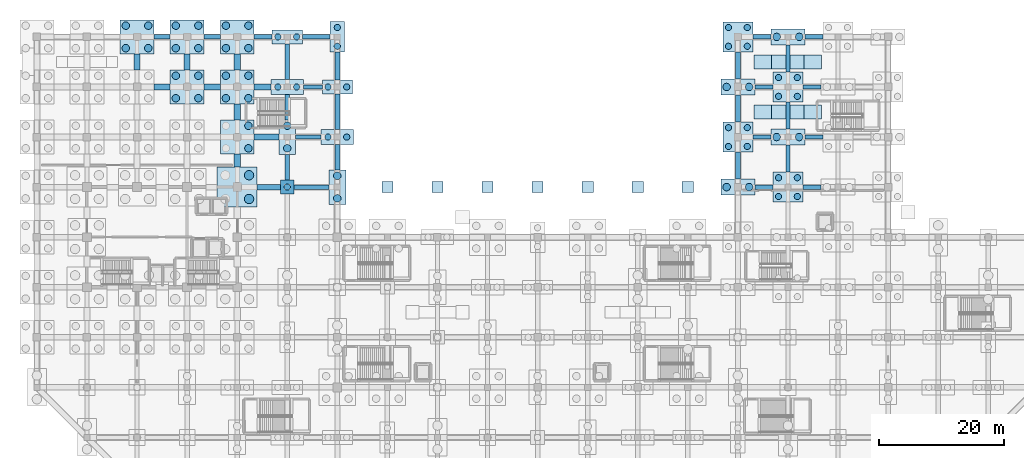
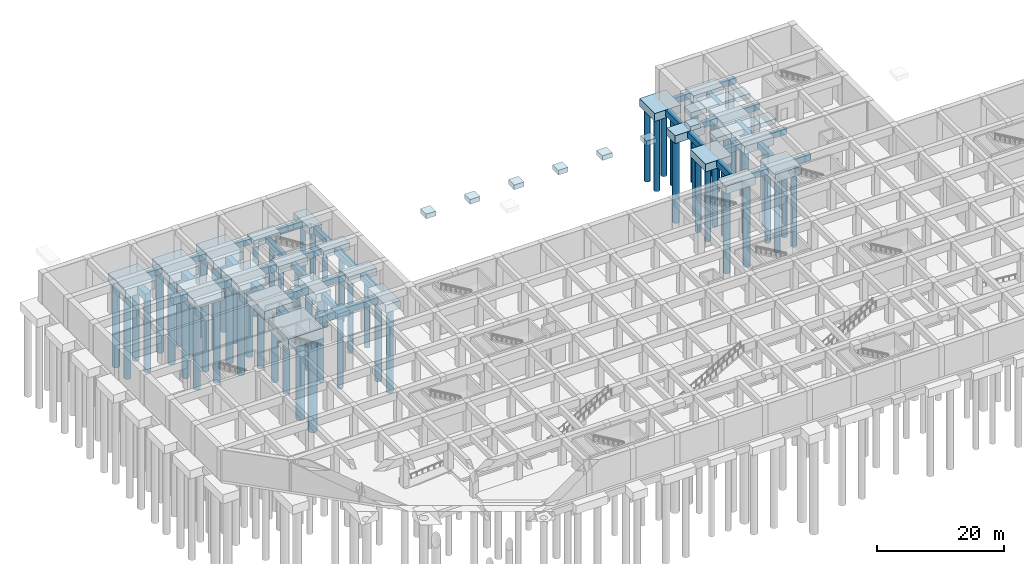
# One storey, part 7 of 26: 73 footings, 63 piles.
"""IFC4 building model written with IfcOpenShell, lengths in metres."""

from ifc_helpers import new_model, si_unit, direction, frame, origin, origin_2d, place, context, subcontext, project, spatial, rectangle, circle, extrude, material, material_profile, profile_set, type_object, element, save


model = new_model("IFC4")

# Units and contexts
model_context = context("Model", 3, precision=1e-05, world=origin(), true_north=direction((0.0, 1.0)))
body_context = subcontext(model_context, "Body", "Model", "MODEL_VIEW")
ifc_project = project(units=[si_unit("LENGTHUNIT", "METRE"), si_unit("AREAUNIT", "SQUARE_METRE"), si_unit("VOLUMEUNIT", "CUBIC_METRE"), si_unit("PLANEANGLEUNIT", "RADIAN"), si_unit("MASSUNIT", "GRAM", prefix="KILO")], contexts=[model_context])

# Site, building, storey
site_placement = place(None, origin())
site = spatial("IfcSite", under=ifc_project, at=site_placement, CompositionType="ELEMENT")
building_placement = place(site_placement, origin())
building = spatial("IfcBuilding", under=site, at=building_placement, Name="Varnela Railside Interchange", CompositionType="ELEMENT")
storey_placement = place(building_placement, frame((0.0, 0.0, -12.60009765625)))
storey = spatial("IfcBuildingStorey", under=building, at=storey_placement, Name="B2", CompositionType="ELEMENT", Elevation=-12.60009765625)

# Piles
ifc_material_1 = material(Name="Concrete C40", Category="concrete")
ifc_material_profile_1 = material_profile(ifc_material_1, circle(Radius=0.5, at=origin_2d()), Name="BORED PILE D1000")
ifc_profile_set_1 = profile_set([ifc_material_profile_1], Name="Concrete C40")
pile_type_1 = type_object("IfcPileType", Name="Bored Pile D1000 L14m", PredefinedType="BORED", material=ifc_profile_set_1)
for number, where, z_axis, x_axis, name in (
    (1, (44.0, 70.0, -1.89990234375), (0.0, 0.0, -1.0), (1.0, 0.0, 0.0), "Bored Pile D1000 L14m"),
    (2, (42.5, 86.0, -2.199951171875), (0.0, 0.0, -1.0), (1.0, 0.0, 0.0), "Bored Pile D1000 L14m"),
    (3, (45.5, 86.0, -2.199951171875), (0.0, 0.0, -1.0), (1.0, 0.0, 0.0), "Bored Pile D1000 L14m"),
    (4, (42.5, 94.0, -2.099853515625), (0.0, 0.0, -1.0), (1.0, 0.0, 0.0), "Bored Pile D1000 L14m"),
    (5, (45.5, 94.0, -2.099853515625), (0.0, 0.0, -1.0), (1.0, 0.0, 0.0), "Bored Pile D1000 L14m"),
    (6, (50.5, 78.0, -2.199951171875), (0.0, 0.0, -1.0), (1.0, 0.0, 0.0), "Bored Pile D1000 L14m"),
    (7, (53.5, 78.0, -2.199951171875), (0.0, 0.0, -1.0), (1.0, 0.0, 0.0), "Bored Pile D1000 L14m"),
    (8, (50.5, 86.0, -2.099853515625), (0.0, 0.0, -1.0), (1.0, 0.0, 0.0), "Bored Pile D1000 L14m"),
    (9, (53.5, 86.0, -2.099853515625), (0.0, 0.0, -1.0), (1.0, 0.0, 0.0), "Bored Pile D1000 L14m"),
    (10, (52.0, 92.5, -2.14990234375), (0.0, 0.0, -1.0), (1.0, 0.0, 0.0), "Bored Pile D1000 L14m"),
    (11, (52.0, 95.5, -2.14990234375), (0.0, 0.0, -1.0), (1.0, 0.0, 0.0), "Bored Pile D1000 L14m"),
    (12, (114.5, 76.5, -2.2998046875), (0.0, 0.0, -1.0), (1.0, 0.0, 0.0), "Bored Pile D1000 L14m"),
    (13, (117.5, 76.5, -2.2998046875), (0.0, 0.0, -1.0), (1.0, 0.0, 0.0), "Bored Pile D1000 L14m"),
    (14, (114.5, 79.5, -2.2998046875), (0.0, 0.0, -1.0), (1.0, 0.0, 0.0), "Bored Pile D1000 L14m"),
    (15, (117.5, 79.5, -2.2998046875), (0.0, 0.0, -1.0), (1.0, 0.0, 0.0), "Bored Pile D1000 L14m"),
    (16, (114.5, 92.5, -2.2998046875), (0.0, 0.0, -1.0), (1.0, 0.0, 0.0), "Bored Pile D1000 L14m"),
    (17, (117.5, 92.5, -2.2998046875), (0.0, 0.0, -1.0), (1.0, 0.0, 0.0), "Bored Pile D1000 L14m"),
    (18, (114.5, 95.5, -2.2998046875), (0.0, 0.0, -1.0), (1.0, 0.0, 0.0), "Bored Pile D1000 L14m"),
    (19, (117.5, 95.5, -2.2998046875), (0.0, 0.0, -1.0), (1.0, 0.0, 0.0), "Bored Pile D1000 L14m"),
    (20, (122.5, 68.5, -2.2998046875), (0.0, 0.0, -1.0), (1.0, 0.0, 0.0), "Bored Pile D1000 L14m"),
    (21, (125.5, 68.5, -2.2998046875), (0.0, 0.0, -1.0), (1.0, 0.0, 0.0), "Bored Pile D1000 L14m"),
    (22, (122.5, 71.5, -2.2998046875), (0.0, 0.0, -1.0), (1.0, 0.0, 0.0), "Bored Pile D1000 L14m"),
    (23, (125.5, 71.5, -2.2998046875), (0.0, 0.0, -1.0), (1.0, 0.0, 0.0), "Bored Pile D1000 L14m"),
    (24, (122.5, 84.5, -2.2998046875), (0.0, 0.0, -1.0), (1.0, 0.0, 0.0), "Bored Pile D1000 L14m"),
    (25, (125.5, 84.5, -2.2998046875), (0.0, 0.0, -1.0), (1.0, 0.0, 0.0), "Bored Pile D1000 L14m"),
    (26, (122.5, 87.5, -2.2998046875), (0.0, 0.0, -1.0), (1.0, 0.0, 0.0), "Bored Pile D1000 L14m"),
    (27, (125.5, 87.5, -2.2998046875), (0.0, 0.0, -1.0), (1.0, 0.0, 0.0), "Bored Pile D1000 L14m"),
):
    element("IfcPile", number, at=place(storey_placement, frame(where, z_axis=z_axis, x_axis=x_axis)), inside=storey, type_object=pile_type_1, Name=name, PredefinedType="BORED", context=body_context, shape_type="SweptSolid", body=[
        extrude(circle(Radius=0.5, at=origin_2d()), origin(), (0.0, 0.0, 1.0), 14.0),
    ])
ifc_material_profile_2 = material_profile(ifc_material_1, circle(Radius=0.60009765625, at=origin_2d()), Name="BORED PILE D1200")
ifc_profile_set_2 = profile_set([ifc_material_profile_2], Name="Concrete C40")
pile_type_2 = type_object("IfcPileType", Name="Bored Pile D1200 L16m", PredefinedType="BORED", material=ifc_profile_set_2)
for number, where, z_axis, x_axis, name in (
    (28, (18.199951171875, 92.199951171875, -2.39990234375), (0.0, 0.0, -1.0), (1.0, 0.0, 0.0), "Bored Pile D1200 L16m"),
    (29, (21.800048828125, 92.199951171875, -2.39990234375), (0.0, 0.0, -1.0), (1.0, 0.0, 0.0), "Bored Pile D1200 L16m"),
    (30, (18.199951171875, 95.800048828125, -2.39990234375), (0.0, 0.0, -1.0), (1.0, 0.0, 0.0), "Bored Pile D1200 L16m"),
    (31, (21.800048828125, 95.800048828125, -2.39990234375), (0.0, 0.0, -1.0), (1.0, 0.0, 0.0), "Bored Pile D1200 L16m"),
    (32, (26.199951171875, 84.199951171875, -2.39990234375), (0.0, 0.0, -1.0), (1.0, 0.0, 0.0), "Bored Pile D1200 L16m"),
    (33, (29.800048828125, 84.199951171875, -2.39990234375), (0.0, 0.0, -1.0), (1.0, 0.0, 0.0), "Bored Pile D1200 L16m"),
    (34, (26.199951171875, 87.800048828125, -2.39990234375), (0.0, 0.0, -1.0), (1.0, 0.0, 0.0), "Bored Pile D1200 L16m"),
    (35, (29.800048828125, 87.800048828125, -2.39990234375), (0.0, 0.0, -1.0), (1.0, 0.0, 0.0), "Bored Pile D1200 L16m"),
    (36, (26.199951171875, 92.199951171875, -2.39990234375), (0.0, 0.0, -1.0), (1.0, 0.0, 0.0), "Bored Pile D1200 L16m"),
    (37, (29.800048828125, 92.199951171875, -2.39990234375), (0.0, 0.0, -1.0), (1.0, 0.0, 0.0), "Bored Pile D1200 L16m"),
    (38, (26.199951171875, 95.800048828125, -2.39990234375), (0.0, 0.0, -1.0), (1.0, 0.0, 0.0), "Bored Pile D1200 L16m"),
    (39, (29.800048828125, 95.800048828125, -2.39990234375), (0.0, 0.0, -1.0), (1.0, 0.0, 0.0), "Bored Pile D1200 L16m"),
    (40, (37.800048828125, 76.199951171875, -2.39990234375), (0.0, 0.0, -1.0), (1.0, 0.0, 0.0), "Bored Pile D1200 L16m"),
    (41, (37.800048828125, 79.800048828125, -2.39990234375), (0.0, 0.0, -1.0), (1.0, 0.0, 0.0), "Bored Pile D1200 L16m"),
    (42, (34.199951171875, 84.199951171875, -2.39990234375), (0.0, 0.0, -1.0), (1.0, 0.0, 0.0), "Bored Pile D1200 L16m"),
    (43, (37.800048828125, 84.199951171875, -2.39990234375), (0.0, 0.0, -1.0), (1.0, 0.0, 0.0), "Bored Pile D1200 L16m"),
    (44, (34.199951171875, 87.800048828125, -2.39990234375), (0.0, 0.0, -1.0), (1.0, 0.0, 0.0), "Bored Pile D1200 L16m"),
    (45, (37.800048828125, 87.800048828125, -2.39990234375), (0.0, 0.0, -1.0), (1.0, 0.0, 0.0), "Bored Pile D1200 L16m"),
    (46, (34.199951171875, 92.199951171875, -2.39990234375), (0.0, 0.0, -1.0), (1.0, 0.0, 0.0), "Bored Pile D1200 L16m"),
    (47, (37.800048828125, 92.199951171875, -2.39990234375), (0.0, 0.0, -1.0), (1.0, 0.0, 0.0), "Bored Pile D1200 L16m"),
    (48, (34.199951171875, 95.800048828125, -2.39990234375), (0.0, 0.0, -1.0), (1.0, 0.0, 0.0), "Bored Pile D1200 L16m"),
    (49, (37.800048828125, 95.800048828125, -2.39990234375), (0.0, 0.0, -1.0), (1.0, 0.0, 0.0), "Bored Pile D1200 L16m"),
    (50, (44.0, 76.199951171875, -2.349853515625), (0.0, 0.0, -1.0), (1.0, 0.0, 0.0), "Bored Pile D1200 L16m"),
    (51, (44.0, 79.800048828125, -2.349853515625), (0.0, 0.0, -1.0), (1.0, 0.0, 0.0), "Bored Pile D1200 L16m"),
    (52, (52.0, 68.199951171875, -2.349853515625), (0.0, 0.0, -1.0), (1.0, 0.0, 0.0), "Bored Pile D1200 L16m"),
    (53, (52.0, 71.800048828125, -2.349853515625), (0.0, 0.0, -1.0), (1.0, 0.0, 0.0), "Bored Pile D1200 L16m"),
    (54, (114.199951171875, 70.0, -2.2998046875), (0.0, 0.0, -1.0), (1.0, 0.0, 0.0), "Bored Pile D1200 L16m"),
    (55, (117.800048828125, 70.0, -2.2998046875), (0.0, 0.0, -1.0), (1.0, 0.0, 0.0), "Bored Pile D1200 L16m"),
    (56, (114.199951171875, 86.0, -2.2998046875), (0.0, 0.0, -1.0), (1.0, 0.0, 0.0), "Bored Pile D1200 L16m"),
    (57, (117.800048828125, 86.0, -2.2998046875), (0.0, 0.0, -1.0), (1.0, 0.0, 0.0), "Bored Pile D1200 L16m"),
    (58, (122.199951171875, 78.0, -2.2998046875), (0.0, 0.0, -1.0), (1.0, 0.0, 0.0), "Bored Pile D1200 L16m"),
    (59, (125.800048828125, 78.0, -2.2998046875), (0.0, 0.0, -1.0), (1.0, 0.0, 0.0), "Bored Pile D1200 L16m"),
    (60, (122.199951171875, 94.0, -2.2998046875), (0.0, 0.0, -1.0), (1.0, 0.0, 0.0), "Bored Pile D1200 L16m"),
    (61, (125.800048828125, 94.0, -2.2998046875), (0.0, 0.0, -1.0), (1.0, 0.0, 0.0), "Bored Pile D1200 L16m"),
):
    element("IfcPile", number, at=place(storey_placement, frame(where, z_axis=z_axis, x_axis=x_axis)), inside=storey, type_object=pile_type_2, Name=name, PredefinedType="BORED", context=body_context, shape_type="SweptSolid", body=[
        extrude(circle(Radius=0.60009765625, at=origin_2d()), origin(), (0.0, 0.0, 1.0), 16.0),
    ])
ifc_material_profile_3 = material_profile(ifc_material_1, circle(Radius=0.75, at=origin_2d()), Name="BORED PILE D1500")
ifc_profile_set_3 = profile_set([ifc_material_profile_3], Name="Concrete C40")
pile_type_3 = type_object("IfcPileType", Name="Bored Pile D1500 L18m", PredefinedType="BORED", material=ifc_profile_set_3)
for number, where, z_axis, x_axis, name in (
    (62, (37.89990234375, 68.10009765625, -2.7998046875), (0.0, 0.0, -1.0), (1.0, 0.0, 0.0), "Bored Pile D1500 L18m"),
    (63, (37.89990234375, 71.89990234375, -2.7998046875), (0.0, 0.0, -1.0), (1.0, 0.0, 0.0), "Bored Pile D1500 L18m"),
):
    element("IfcPile", number, at=place(storey_placement, frame(where, z_axis=z_axis, x_axis=x_axis)), inside=storey, type_object=pile_type_3, Name=name, PredefinedType="BORED", context=body_context, shape_type="SweptSolid", body=[
        extrude(circle(Radius=0.75, at=origin_2d()), origin(), (0.0, 0.0, 1.0), 18.0),
    ])

# Footings
ifc_material_2 = material(Name="Concrete C50", Category="concrete")
footing_type_1 = type_object("IfcFootingType", Name="Four-Pile Box Cap PC-11", PredefinedType="PILE_CAP", material=ifc_material_2)
for number, where, z_axis, x_axis, name in (
    (64, (20.0, 94.0, -2.39990234375), (0.0, 0.0, 1.0), (1.0, 0.0, 0.0), "Four-Pile Box Cap PC-11 (FT-0138)"),
    (65, (28.0, 86.0, -2.39990234375), (0.0, 0.0, 1.0), (1.0, 0.0, 0.0), "Four-Pile Box Cap PC-11 (FT-0147)"),
    (66, (28.0, 94.0, -2.39990234375), (0.0, 0.0, 1.0), (1.0, 0.0, 0.0), "Four-Pile Box Cap PC-11 (FT-0148)"),
    (67, (36.0, 78.0, -2.39990234375), (0.0, 0.0, 1.0), (1.0, 0.0, 0.0), "Four-Pile Box Cap PC-11 (FT-0158)"),
    (68, (36.0, 86.0, -2.39990234375), (0.0, 0.0, 1.0), (1.0, 0.0, 0.0), "Four-Pile Box Cap PC-11 (FT-0159)"),
    (69, (36.0, 94.0, -2.39990234375), (0.0, 0.0, 1.0), (1.0, 0.0, 0.0), "Four-Pile Box Cap PC-11 (FT-0160)"),
):
    element("IfcFooting", number, at=place(storey_placement, frame(where, z_axis=z_axis, x_axis=x_axis)), inside=storey, type_object=footing_type_1, Name=name, PredefinedType="PILE_CAP", context=body_context, shape_type="SweptSolid", body=[
        extrude(rectangle(XDim=5.39990234375, YDim=5.39990234375, at=origin_2d()), origin(), (0.0, 0.0, 1.0), 1.60009765625),
    ])
footing_type_2 = type_object("IfcFootingType", Name="Four-Pile Cap PC-06", PredefinedType="PILE_CAP", material=ifc_material_2)
for number, where, z_axis, x_axis, name in (
    (70, (116.0, 78.0, -2.2998046875), (0.0, 0.0, 1.0), (1.0, 0.0, 0.0), "Four-Pile Cap PC-06 (FT-0060)"),
    (71, (116.0, 94.0, -2.2998046875), (0.0, 0.0, 1.0), (1.0, 0.0, 0.0), "Four-Pile Cap PC-06 (FT-0062)"),
    (72, (124.0, 70.0, -2.2998046875), (0.0, 0.0, 1.0), (1.0, 0.0, 0.0), "Four-Pile Cap PC-06 (FT-0071)"),
    (73, (124.0, 86.0, -2.2998046875), (0.0, 0.0, 1.0), (1.0, 0.0, 0.0), "Four-Pile Cap PC-06 (FT-0073)"),
):
    element("IfcFooting", number, at=place(storey_placement, frame(where, z_axis=z_axis, x_axis=x_axis)), inside=storey, type_object=footing_type_2, Name=name, PredefinedType="PILE_CAP", context=body_context, shape_type="SweptSolid", body=[
        extrude(rectangle(XDim=4.800048828125, YDim=4.800048828125, at=origin_2d()), origin(), (0.0, 0.0, 1.0), 1.5),
    ])
footing_type_3 = type_object("IfcFootingType", Name="Four-Pile Mega Cap PC-16", PredefinedType="PILE_CAP", material=ifc_material_2)
footing_1_placement = place(storey_placement, frame((36.0, 70.0, -2.7998046875), z_axis=(0.0, 0.0, 1.0), x_axis=(1.0, 0.0, 0.0)))
element("IfcFooting", 74, at=footing_1_placement, inside=storey, type_object=footing_type_3, Name="Four-Pile Mega Cap PC-16 (FT-0157)", PredefinedType="PILE_CAP", context=body_context, shape_type="SweptSolid", body=[
    extrude(rectangle(XDim=6.39990234375, YDim=6.39990234375, at=origin_2d()), origin(), (0.0, 0.0, 1.0), 2.0),
])
footing_type_4 = type_object("IfcFootingType", Name="Ground Tie Beam GB-01", PredefinedType="FOOTING_BEAM", material=ifc_material_2)
footing_2_placement = place(storey_placement, frame((44.0, 73.175048828125, -1.89990234375), z_axis=(0.0, 0.0, 1.0), x_axis=(1.0, 0.0, 0.0)))
element("IfcFooting", 75, at=footing_2_placement, inside=storey, type_object=footing_type_4, Name="Ground Tie Beam GB-01 (FT-0521)", PredefinedType="FOOTING_BEAM", context=body_context, shape_type="SweptSolid", body=[
    extrude(rectangle(XDim=0.699951171875, YDim=4.14990234375, at=origin_2d()), origin(), (0.0, 0.0, 1.0), 1.10009765625),
])
footing_3_placement = place(storey_placement, frame((44.0, 82.77490234375, -1.89990234375), z_axis=(0.0, 0.0, 1.0), x_axis=(1.0, 0.0, 0.0)))
element("IfcFooting", 76, at=footing_3_placement, inside=storey, type_object=footing_type_4, Name="Ground Tie Beam GB-01 (FT-0522)", PredefinedType="FOOTING_BEAM", context=body_context, shape_type="SweptSolid", body=[
    extrude(rectangle(XDim=0.699951171875, YDim=4.050048828125, at=origin_2d()), origin(), (0.0, 0.0, 1.0), 1.10009765625),
])
footing_4_placement = place(storey_placement, frame((44.0, 90.050048828125, -1.89990234375), z_axis=(0.0, 0.0, 1.0), x_axis=(1.0, 0.0, 0.0)))
element("IfcFooting", 77, at=footing_4_placement, inside=storey, type_object=footing_type_4, Name="Ground Tie Beam GB-01 (FT-0514)", PredefinedType="FOOTING_BEAM", context=body_context, shape_type="SweptSolid", body=[
    extrude(rectangle(XDim=0.699951171875, YDim=5.699951171875, at=origin_2d()), origin(), (0.0, 0.0, 1.0), 1.10009765625),
])
for number, where, z_axis, x_axis, name in (
    (78, (124.0, 74.550048828125, -1.89990234375), (0.0, 0.0, 1.0), (1.0, 0.0, 0.0), "Ground Tie Beam GB-01 (FT-0436)"),
    (79, (124.0, 81.449951171875, -1.89990234375), (0.0, 0.0, 1.0), (1.0, 0.0, 0.0), "Ground Tie Beam GB-01 (FT-0437)"),
    (80, (124.0, 90.550048828125, -1.89990234375), (0.0, 0.0, 1.0), (1.0, 0.0, 0.0), "Ground Tie Beam GB-01 (FT-0429)"),
):
    element("IfcFooting", number, at=place(storey_placement, frame(where, z_axis=z_axis, x_axis=x_axis)), inside=storey, type_object=footing_type_4, Name=name, PredefinedType="FOOTING_BEAM", context=body_context, shape_type="SweptSolid", body=[
        extrude(rectangle(XDim=0.699951171875, YDim=4.300048828125, at=origin_2d()), origin(), (0.0, 0.0, 1.0), 1.10009765625),
    ])
footing_5_placement = place(storey_placement, frame((47.875, 70.0, -1.89990234375), z_axis=(0.0, 0.0, 1.0), x_axis=(1.0, 0.0, 0.0)))
element("IfcFooting", 81, at=footing_5_placement, inside=storey, type_object=footing_type_4, Name="Ground Tie Beam GB-01 (FT-0353)", PredefinedType="FOOTING_BEAM", context=body_context, shape_type="SweptSolid", body=[
    extrude(rectangle(XDim=5.550048828125, YDim=0.699951171875, at=origin_2d()), origin(), (0.0, 0.0, 1.0), 1.10009765625),
])
for number, where, z_axis, x_axis, name in (
    (82, (120.14990234375, 70.0, -1.89990234375), (0.0, 0.0, 1.0), (1.0, 0.0, 0.0), "Ground Tie Beam GB-01 (FT-0347)"),
    (83, (127.85009765625, 70.0, -1.89990234375), (0.0, 0.0, 1.0), (1.0, 0.0, 0.0), "Ground Tie Beam GB-01 (FT-0348)"),
):
    element("IfcFooting", number, at=place(storey_placement, frame(where, z_axis=z_axis, x_axis=x_axis)), inside=storey, type_object=footing_type_4, Name=name, PredefinedType="FOOTING_BEAM", context=body_context, shape_type="SweptSolid", body=[
        extrude(rectangle(XDim=2.89990234375, YDim=0.699951171875, at=origin_2d()), origin(), (0.0, 0.0, 1.0), 1.10009765625),
    ])
footing_6_placement = place(storey_placement, frame((47.375, 78.0, -1.89990234375), z_axis=(0.0, 0.0, 1.0), x_axis=(1.0, 0.0, 0.0)))
element("IfcFooting", 84, at=footing_6_placement, inside=storey, type_object=footing_type_4, Name="Ground Tie Beam GB-01 (FT-0362)", PredefinedType="FOOTING_BEAM", context=body_context, shape_type="SweptSolid", body=[
    extrude(rectangle(XDim=4.050048828125, YDim=0.699951171875, at=origin_2d()), origin(), (0.0, 0.0, 1.0), 1.10009765625),
])
for number, where, z_axis, x_axis, name in (
    (85, (119.85009765625, 78.0, -1.89990234375), (0.0, 0.0, 1.0), (1.0, 0.0, 0.0), "Ground Tie Beam GB-01 (FT-0356)"),
    (86, (128.14990234375, 78.0, -1.89990234375), (0.0, 0.0, 1.0), (1.0, 0.0, 0.0), "Ground Tie Beam GB-01 (FT-0357)"),
):
    element("IfcFooting", number, at=place(storey_placement, frame(where, z_axis=z_axis, x_axis=x_axis)), inside=storey, type_object=footing_type_4, Name=name, PredefinedType="FOOTING_BEAM", context=body_context, shape_type="SweptSolid", body=[
        extrude(rectangle(XDim=2.89990234375, YDim=0.699951171875, at=origin_2d()), origin(), (0.0, 0.0, 1.0), 1.10009765625),
    ])
footing_7_placement = place(storey_placement, frame((48.10009765625, 86.0, -1.89990234375), z_axis=(0.0, 0.0, 1.0), x_axis=(1.0, 0.0, 0.0)))
element("IfcFooting", 87, at=footing_7_placement, inside=storey, type_object=footing_type_4, Name="Ground Tie Beam GB-01 (FT-0371)", PredefinedType="FOOTING_BEAM", context=body_context, shape_type="SweptSolid", body=[
    extrude(rectangle(XDim=3.0, YDim=0.699951171875, at=origin_2d()), origin(), (0.0, 0.0, 1.0), 1.10009765625),
])
for number, where, z_axis, x_axis, name in (
    (88, (120.14990234375, 86.0, -1.89990234375), (0.0, 0.0, 1.0), (1.0, 0.0, 0.0), "Ground Tie Beam GB-01 (FT-0365)"),
    (89, (127.85009765625, 86.0, -1.89990234375), (0.0, 0.0, 1.0), (1.0, 0.0, 0.0), "Ground Tie Beam GB-01 (FT-0366)"),
):
    element("IfcFooting", number, at=place(storey_placement, frame(where, z_axis=z_axis, x_axis=x_axis)), inside=storey, type_object=footing_type_4, Name=name, PredefinedType="FOOTING_BEAM", context=body_context, shape_type="SweptSolid", body=[
        extrude(rectangle(XDim=2.89990234375, YDim=0.699951171875, at=origin_2d()), origin(), (0.0, 0.0, 1.0), 1.10009765625),
    ])
for number, where, z_axis, x_axis, name in (
    (90, (24.0, 94.0, -1.89990234375), (0.0, 0.0, 1.0), (1.0, 0.0, 0.0), "Ground Tie Beam GB-01 (FT-0377)"),
    (91, (32.0, 94.0, -1.89990234375), (0.0, 0.0, 1.0), (1.0, 0.0, 0.0), "Ground Tie Beam GB-01 (FT-0378)"),
):
    element("IfcFooting", number, at=place(storey_placement, frame(where, z_axis=z_axis, x_axis=x_axis)), inside=storey, type_object=footing_type_4, Name=name, PredefinedType="FOOTING_BEAM", context=body_context, shape_type="SweptSolid", body=[
        extrude(rectangle(XDim=2.60009765625, YDim=0.699951171875, at=origin_2d()), origin(), (0.0, 0.0, 1.0), 1.10009765625),
    ])
footing_8_placement = place(storey_placement, frame((40.14990234375, 94.0, -1.89990234375), z_axis=(0.0, 0.0, 1.0), x_axis=(1.0, 0.0, 0.0)))
element("IfcFooting", 92, at=footing_8_placement, inside=storey, type_object=footing_type_4, Name="Ground Tie Beam GB-01 (FT-0379)", PredefinedType="FOOTING_BEAM", context=body_context, shape_type="SweptSolid", body=[
    extrude(rectangle(XDim=2.89990234375, YDim=0.699951171875, at=origin_2d()), origin(), (0.0, 0.0, 1.0), 1.10009765625),
])
footing_9_placement = place(storey_placement, frame((48.625, 94.0, -1.89990234375), z_axis=(0.0, 0.0, 1.0), x_axis=(1.0, 0.0, 0.0)))
element("IfcFooting", 93, at=footing_9_placement, inside=storey, type_object=footing_type_4, Name="Ground Tie Beam GB-01 (FT-0380)", PredefinedType="FOOTING_BEAM", context=body_context, shape_type="SweptSolid", body=[
    extrude(rectangle(XDim=4.449951171875, YDim=0.699951171875, at=origin_2d()), origin(), (0.0, 0.0, 1.0), 1.10009765625),
])
for number, where, z_axis, x_axis, name in (
    (94, (119.85009765625, 94.0, -1.89990234375), (0.0, 0.0, 1.0), (1.0, 0.0, 0.0), "Ground Tie Beam GB-01 (FT-0374)"),
    (95, (128.14990234375, 94.0, -1.89990234375), (0.0, 0.0, 1.0), (1.0, 0.0, 0.0), "Ground Tie Beam GB-01 (FT-0375)"),
):
    element("IfcFooting", number, at=place(storey_placement, frame(where, z_axis=z_axis, x_axis=x_axis)), inside=storey, type_object=footing_type_4, Name=name, PredefinedType="FOOTING_BEAM", context=body_context, shape_type="SweptSolid", body=[
        extrude(rectangle(XDim=2.89990234375, YDim=0.699951171875, at=origin_2d()), origin(), (0.0, 0.0, 1.0), 1.10009765625),
    ])
footing_type_5 = type_object("IfcFootingType", Name="Ground Tie Beam GB-02", PredefinedType="FOOTING_BEAM", material=ifc_material_2)
footing_10_placement = place(storey_placement, frame((52.0, 74.77490234375, -2.0), z_axis=(0.0, 0.0, 1.0), x_axis=(1.0, 0.0, 0.0)))
element("IfcFooting", 96, at=footing_10_placement, inside=storey, type_object=footing_type_5, Name="Ground Tie Beam GB-02 (FT-0532)", PredefinedType="FOOTING_BEAM", context=body_context, shape_type="SweptSolid", body=[
    extrude(rectangle(XDim=0.800048828125, YDim=4.050048828125, at=origin_2d()), origin(), (0.0, 0.0, 1.0), 1.199951171875),
])
footing_11_placement = place(storey_placement, frame((52.0, 82.050048828125, -2.0), z_axis=(0.0, 0.0, 1.0), x_axis=(1.0, 0.0, 0.0)))
element("IfcFooting", 97, at=footing_11_placement, inside=storey, type_object=footing_type_5, Name="Ground Tie Beam GB-02 (FT-0533)", PredefinedType="FOOTING_BEAM", context=body_context, shape_type="SweptSolid", body=[
    extrude(rectangle(XDim=0.800048828125, YDim=5.699951171875, at=origin_2d()), origin(), (0.0, 0.0, 1.0), 1.199951171875),
])
footing_12_placement = place(storey_placement, frame((52.0, 89.324951171875, -2.0), z_axis=(0.0, 0.0, 1.0), x_axis=(1.0, 0.0, 0.0)))
element("IfcFooting", 98, at=footing_12_placement, inside=storey, type_object=footing_type_5, Name="Ground Tie Beam GB-02 (FT-0525)", PredefinedType="FOOTING_BEAM", context=body_context, shape_type="SweptSolid", body=[
    extrude(rectangle(XDim=0.800048828125, YDim=4.449951171875, at=origin_2d()), origin(), (0.0, 0.0, 1.0), 1.199951171875),
])
for number, where, z_axis, x_axis, name in (
    (99, (116.0, 73.449951171875, -2.0), (0.0, 0.0, 1.0), (1.0, 0.0, 0.0), "Ground Tie Beam GB-02 (FT-0425)"),
    (100, (116.0, 82.550048828125, -2.0), (0.0, 0.0, 1.0), (1.0, 0.0, 0.0), "Ground Tie Beam GB-02 (FT-0426)"),
    (101, (116.0, 89.449951171875, -2.0), (0.0, 0.0, 1.0), (1.0, 0.0, 0.0), "Ground Tie Beam GB-02 (FT-0418)"),
):
    element("IfcFooting", number, at=place(storey_placement, frame(where, z_axis=z_axis, x_axis=x_axis)), inside=storey, type_object=footing_type_5, Name=name, PredefinedType="FOOTING_BEAM", context=body_context, shape_type="SweptSolid", body=[
        extrude(rectangle(XDim=0.800048828125, YDim=4.300048828125, at=origin_2d()), origin(), (0.0, 0.0, 1.0), 1.199951171875),
    ])
footing_type_6 = type_object("IfcFootingType", Name="Ground Tie Beam GB-03", PredefinedType="FOOTING_BEAM", material=ifc_material_2)
footing_13_placement = place(storey_placement, frame((41.050048828125, 70.0, -2.10009765625), z_axis=(0.0, 0.0, 1.0), x_axis=(1.0, 0.0, 0.0)))
element("IfcFooting", 102, at=footing_13_placement, inside=storey, type_object=footing_type_6, Name="Ground Tie Beam GB-03 (FT-0352)", PredefinedType="FOOTING_BEAM", context=body_context, shape_type="SweptSolid", body=[
    extrude(rectangle(XDim=3.699951171875, YDim=0.89990234375, at=origin_2d()), origin(), (0.0, 0.0, 1.0), 1.300048828125),
])
footing_14_placement = place(storey_placement, frame((40.675048828125, 78.0, -2.10009765625), z_axis=(0.0, 0.0, 1.0), x_axis=(1.0, 0.0, 0.0)))
element("IfcFooting", 103, at=footing_14_placement, inside=storey, type_object=footing_type_6, Name="Ground Tie Beam GB-03 (FT-0361)", PredefinedType="FOOTING_BEAM", context=body_context, shape_type="SweptSolid", body=[
    extrude(rectangle(XDim=3.949951171875, YDim=0.89990234375, at=origin_2d()), origin(), (0.0, 0.0, 1.0), 1.300048828125),
])
for number, where, z_axis, x_axis, name in (
    (104, (24.0, 86.0, -2.10009765625), (0.0, 0.0, 1.0), (1.0, 0.0, 0.0), "Ground Tie Beam GB-03 (FT-0368)"),
    (105, (32.0, 86.0, -2.10009765625), (0.0, 0.0, 1.0), (1.0, 0.0, 0.0), "Ground Tie Beam GB-03 (FT-0369)"),
):
    element("IfcFooting", number, at=place(storey_placement, frame(where, z_axis=z_axis, x_axis=x_axis)), inside=storey, type_object=footing_type_6, Name=name, PredefinedType="FOOTING_BEAM", context=body_context, shape_type="SweptSolid", body=[
        extrude(rectangle(XDim=2.60009765625, YDim=0.89990234375, at=origin_2d()), origin(), (0.0, 0.0, 1.0), 1.300048828125),
    ])
footing_15_placement = place(storey_placement, frame((40.050048828125, 86.0, -2.10009765625), z_axis=(0.0, 0.0, 1.0), x_axis=(1.0, 0.0, 0.0)))
element("IfcFooting", 106, at=footing_15_placement, inside=storey, type_object=footing_type_6, Name="Ground Tie Beam GB-03 (FT-0370)", PredefinedType="FOOTING_BEAM", context=body_context, shape_type="SweptSolid", body=[
    extrude(rectangle(XDim=2.699951171875, YDim=0.89990234375, at=origin_2d()), origin(), (0.0, 0.0, 1.0), 1.300048828125),
])
footing_type_7 = type_object("IfcFootingType", Name="Ground Tie Beam GB-04", PredefinedType="FOOTING_BEAM", material=ifc_material_2)
for number, where, z_axis, x_axis, name in (
    (107, (20.0, 90.0, -2.199951171875), (0.0, 0.0, 1.0), (1.0, 0.0, 0.0), "Ground Tie Beam GB-04 (FT-0486)"),
    (108, (28.0, 90.0, -2.199951171875), (0.0, 0.0, 1.0), (1.0, 0.0, 0.0), "Ground Tie Beam GB-04 (FT-0494)"),
):
    element("IfcFooting", number, at=place(storey_placement, frame(where, z_axis=z_axis, x_axis=x_axis)), inside=storey, type_object=footing_type_7, Name=name, PredefinedType="FOOTING_BEAM", context=body_context, shape_type="SweptSolid", body=[
        extrude(rectangle(XDim=1.0, YDim=2.60009765625, at=origin_2d()), origin(), (0.0, 0.0, 1.0), 1.39990234375),
    ])
footing_16_placement = place(storey_placement, frame((36.0, 74.25, -2.199951171875), z_axis=(0.0, 0.0, 1.0), x_axis=(1.0, 0.0, 0.0)))
element("IfcFooting", 109, at=footing_16_placement, inside=storey, type_object=footing_type_7, Name="Ground Tie Beam GB-04 (FT-0510)", PredefinedType="FOOTING_BEAM", context=body_context, shape_type="SweptSolid", body=[
    extrude(rectangle(XDim=1.0, YDim=2.10009765625, at=origin_2d()), origin(), (0.0, 0.0, 1.0), 1.39990234375),
])
for number, where, z_axis, x_axis, name in (
    (110, (36.0, 82.0, -2.199951171875), (0.0, 0.0, 1.0), (1.0, 0.0, 0.0), "Ground Tie Beam GB-04 (FT-0511)"),
    (111, (36.0, 90.0, -2.199951171875), (0.0, 0.0, 1.0), (1.0, 0.0, 0.0), "Ground Tie Beam GB-04 (FT-0503)"),
):
    element("IfcFooting", number, at=place(storey_placement, frame(where, z_axis=z_axis, x_axis=x_axis)), inside=storey, type_object=footing_type_7, Name=name, PredefinedType="FOOTING_BEAM", context=body_context, shape_type="SweptSolid", body=[
        extrude(rectangle(XDim=1.0, YDim=2.60009765625, at=origin_2d()), origin(), (0.0, 0.0, 1.0), 1.39990234375),
    ])
footing_type_8 = type_object("IfcFootingType", Name="Portal Plinth Pad AP-03", PredefinedType="PAD_FOOTING", material=ifc_material_2)
for number, where, z_axis, x_axis, name in (
    (112, (60.0, 70.0, 11.7001953125), (0.0, 0.0, 1.0), (1.0, 0.0, 0.0), "Portal Plinth Pad AP-03 (FT-0201)"),
    (113, (68.0, 70.0, 11.7001953125), (0.0, 0.0, 1.0), (1.0, 0.0, 0.0), "Portal Plinth Pad AP-03 (FT-0202)"),
    (114, (76.0, 70.0, 11.7001953125), (0.0, 0.0, 1.0), (1.0, 0.0, 0.0), "Portal Plinth Pad AP-03 (FT-0203)"),
    (115, (84.0, 70.0, 11.7001953125), (0.0, 0.0, 1.0), (1.0, 0.0, 0.0), "Portal Plinth Pad AP-03 (FT-0204)"),
    (116, (92.0, 70.0, 11.7001953125), (0.0, 0.0, 1.0), (1.0, 0.0, 0.0), "Portal Plinth Pad AP-03 (FT-0205)"),
    (117, (100.0, 70.0, 11.7001953125), (0.0, 0.0, 1.0), (1.0, 0.0, 0.0), "Portal Plinth Pad AP-03 (FT-0206)"),
    (118, (108.0, 70.0, 11.7001953125), (0.0, 0.0, 1.0), (1.0, 0.0, 0.0), "Portal Plinth Pad AP-03 (FT-0207)"),
):
    element("IfcFooting", number, at=place(storey_placement, frame(where, z_axis=z_axis, x_axis=x_axis)), inside=storey, type_object=footing_type_8, Name=name, PredefinedType="PAD_FOOTING", context=body_context, shape_type="SweptSolid", body=[
        extrude(rectangle(XDim=1.800048828125, YDim=1.800048828125, at=origin_2d()), origin(), (0.0, 0.0, 1.0), 0.89990234375),
    ])
footing_type_9 = type_object("IfcFootingType", Name="Single Pile Cap PC-01", PredefinedType="PILE_CAP", material=ifc_material_2)
footing_17_placement = place(storey_placement, frame((44.0, 70.0, -1.89990234375), z_axis=(0.0, 0.0, 1.0), x_axis=(1.0, 0.0, 0.0)))
element("IfcFooting", 119, at=footing_17_placement, inside=storey, type_object=footing_type_9, Name="Single Pile Cap PC-01 (FT-0169)", PredefinedType="PILE_CAP", context=body_context, shape_type="SweptSolid", body=[
    extrude(rectangle(XDim=2.199951171875, YDim=2.199951171875, at=origin_2d()), origin(), (0.0, 0.0, 1.0), 1.10009765625),
])
footing_type_10 = type_object("IfcFootingType", Name="Substation Equipment Pad AP-04", PredefinedType="PAD_FOOTING", material=ifc_material_2)
for number, where, z_axis, x_axis, name in (
    (120, (120.0, 82.0, -1.699951171875), (0.0, 0.0, 1.0), (1.0, 0.0, 0.0), "Substation Equipment Pad AP-04 (FT-0007)"),
    (121, (128.0, 82.0, -1.699951171875), (0.0, 0.0, 1.0), (1.0, 0.0, 0.0), "Substation Equipment Pad AP-04 (FT-0008)"),
    (122, (120.0, 90.0, -1.699951171875), (0.0, 0.0, 1.0), (1.0, 0.0, 0.0), "Substation Equipment Pad AP-04 (FT-0009)"),
    (123, (128.0, 90.0, -1.699951171875), (0.0, 0.0, 1.0), (1.0, 0.0, 0.0), "Substation Equipment Pad AP-04 (FT-0010)"),
):
    element("IfcFooting", number, at=place(storey_placement, frame(where, z_axis=z_axis, x_axis=x_axis)), inside=storey, type_object=footing_type_10, Name=name, PredefinedType="PAD_FOOTING", context=body_context, shape_type="SweptSolid", body=[
        extrude(rectangle(XDim=2.800048828125, YDim=2.199951171875, at=origin_2d()), origin(), (0.0, 0.0, 1.0), 0.89990234375),
    ])
footing_type_11 = type_object("IfcFootingType", Name="Two-Pile Cap Heavy PC-05", PredefinedType="PILE_CAP", material=ifc_material_2)
for number, where, z_axis, x_axis, name in (
    (124, (44.0, 86.0, -2.199951171875), (0.0, 0.0, 1.0), (1.0, 0.0, 0.0), "Two-Pile Cap Heavy PC-05 (FT-0171)"),
    (125, (52.0, 78.0, -2.199951171875), (0.0, 0.0, 1.0), (1.0, 0.0, 0.0), "Two-Pile Cap Heavy PC-05 (FT-0182)"),
):
    element("IfcFooting", number, at=place(storey_placement, frame(where, z_axis=z_axis, x_axis=x_axis)), inside=storey, type_object=footing_type_11, Name=name, PredefinedType="PILE_CAP", context=body_context, shape_type="SweptSolid", body=[
        extrude(rectangle(XDim=5.199951171875, YDim=2.39990234375, at=origin_2d()), origin(), (0.0, 0.0, 1.0), 1.39990234375),
    ])
footing_type_12 = type_object("IfcFootingType", Name="Two-Pile Cap X D1200 PC-08", PredefinedType="PILE_CAP", material=ifc_material_2)
for number, where, z_axis, x_axis, name in (
    (126, (116.0, 70.0, -2.2998046875), (0.0, 0.0, 1.0), (1.0, 0.0, 0.0), "Two-Pile Cap X D1200 PC-08 (FT-0059)"),
    (127, (116.0, 86.0, -2.2998046875), (0.0, 0.0, 1.0), (1.0, 0.0, 0.0), "Two-Pile Cap X D1200 PC-08 (FT-0061)"),
    (128, (124.0, 78.0, -2.2998046875), (0.0, 0.0, 1.0), (1.0, 0.0, 0.0), "Two-Pile Cap X D1200 PC-08 (FT-0072)"),
    (129, (124.0, 94.0, -2.2998046875), (0.0, 0.0, 1.0), (1.0, 0.0, 0.0), "Two-Pile Cap X D1200 PC-08 (FT-0074)"),
):
    element("IfcFooting", number, at=place(storey_placement, frame(where, z_axis=z_axis, x_axis=x_axis)), inside=storey, type_object=footing_type_12, Name=name, PredefinedType="PILE_CAP", context=body_context, shape_type="SweptSolid", body=[
        extrude(rectangle(XDim=5.39990234375, YDim=2.60009765625, at=origin_2d()), origin(), (0.0, 0.0, 1.0), 1.5),
    ])
footing_type_13 = type_object("IfcFootingType", Name="Two-Pile Cap X PC-03", PredefinedType="PILE_CAP", material=ifc_material_2)
for number, where, z_axis, x_axis, name in (
    (130, (44.0, 94.0, -2.10009765625), (0.0, 0.0, 1.0), (1.0, 0.0, 0.0), "Two-Pile Cap X PC-03 (FT-0172)"),
    (131, (52.0, 86.0, -2.10009765625), (0.0, 0.0, 1.0), (1.0, 0.0, 0.0), "Two-Pile Cap X PC-03 (FT-0183)"),
):
    element("IfcFooting", number, at=place(storey_placement, frame(where, z_axis=z_axis, x_axis=x_axis)), inside=storey, type_object=footing_type_13, Name=name, PredefinedType="PILE_CAP", context=body_context, shape_type="SweptSolid", body=[
        extrude(rectangle(XDim=4.800048828125, YDim=2.199951171875, at=origin_2d()), origin(), (0.0, 0.0, 1.0), 1.300048828125),
    ])
footing_type_14 = type_object("IfcFootingType", Name="Two-Pile Cap Y D1200 PC-09", PredefinedType="PILE_CAP", material=ifc_material_2)
for number, where, z_axis, x_axis, name in (
    (132, (44.0, 78.0, -2.35009765625), (0.0, 0.0, 1.0), (1.0, 0.0, 0.0), "Two-Pile Cap Y D1200 PC-09 (FT-0170)"),
    (133, (52.0, 70.0, -2.35009765625), (0.0, 0.0, 1.0), (1.0, 0.0, 0.0), "Two-Pile Cap Y D1200 PC-09 (FT-0181)"),
):
    element("IfcFooting", number, at=place(storey_placement, frame(where, z_axis=z_axis, x_axis=x_axis)), inside=storey, type_object=footing_type_14, Name=name, PredefinedType="PILE_CAP", context=body_context, shape_type="SweptSolid", body=[
        extrude(rectangle(XDim=2.699951171875, YDim=5.5, at=origin_2d()), origin(), (0.0, 0.0, 1.0), 1.550048828125),
    ])
footing_type_15 = type_object("IfcFootingType", Name="Two-Pile Cap Y PC-04", PredefinedType="PILE_CAP", material=ifc_material_2)
footing_18_placement = place(storey_placement, frame((52.0, 94.0, -2.14990234375), z_axis=(0.0, 0.0, 1.0), x_axis=(1.0, 0.0, 0.0)))
element("IfcFooting", 134, at=footing_18_placement, inside=storey, type_object=footing_type_15, Name="Two-Pile Cap Y PC-04 (FT-0184)", PredefinedType="PILE_CAP", context=body_context, shape_type="SweptSolid", body=[
    extrude(rectangle(XDim=2.300048828125, YDim=4.89990234375, at=origin_2d()), origin(), (0.0, 0.0, 1.0), 1.35009765625),
])
footing_type_16 = type_object("IfcFootingType", Name="Wall Strip Footing SF-02", PredefinedType="STRIP_FOOTING", material=ifc_material_2)
for number, where, z_axis, x_axis, name in (
    (135, (124.0, 82.0, -1.7998046875), (0.0, 0.0, 1.0), (1.0, 0.0, 0.0), "Wall Strip Footing SF-02 (FT-0553)"),
    (136, (124.0, 90.0, -1.7998046875), (0.0, 0.0, 1.0), (1.0, 0.0, 0.0), "Wall Strip Footing SF-02 (FT-0554)"),
):
    element("IfcFooting", number, at=place(storey_placement, frame(where, z_axis=z_axis, x_axis=x_axis)), inside=storey, type_object=footing_type_16, Name=name, PredefinedType="STRIP_FOOTING", context=body_context, shape_type="SweptSolid", body=[
        extrude(rectangle(XDim=5.199951171875, YDim=2.199951171875, at=origin_2d()), origin(), (0.0, 0.0, 1.0), 1.0),
    ])

save(model, "model.ifc")
